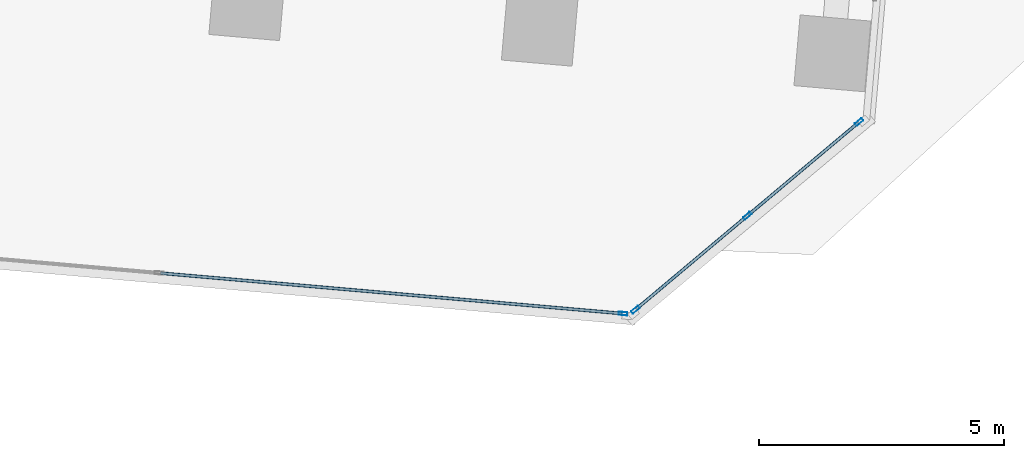
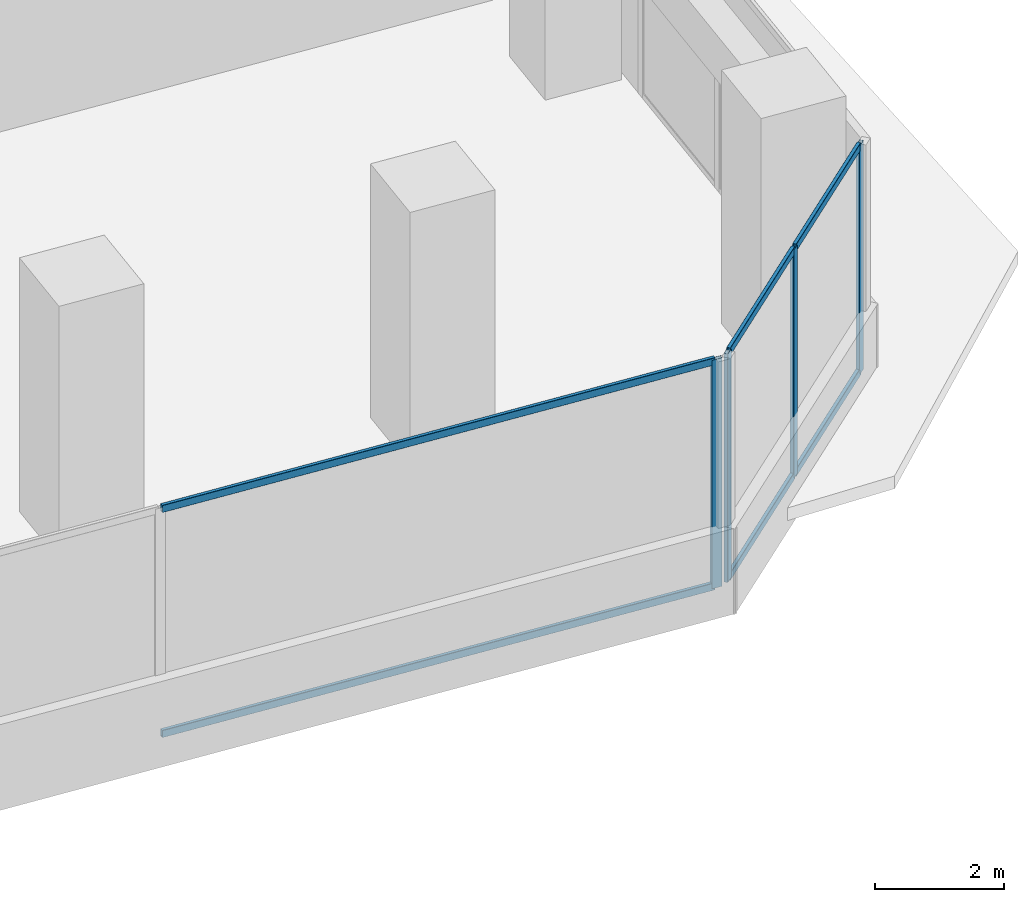
# One storey, part 9 of 24: 10 members, 2 elements without a shape of their own.
"""IFC4 building model written with IfcOpenShell, lengths in metres."""

from ifc_helpers import new_model, si_unit, direction, frame, origin, origin_2d, place, context, subcontext, project, spatial, hollow_rectangle, extrude, source, transform, mapped, material, material_profile, profile_set, type_object, element, aggregate, save


model = new_model("IFC4")

# Units and contexts
model_context = context("Model", 3, precision=1e-05, world=origin(), true_north=direction((0.0, 1.0)))
body_context = subcontext(model_context, "Body", "Model", "MODEL_VIEW")
ifc_project = project(units=[si_unit("LENGTHUNIT", "METRE"), si_unit("AREAUNIT", "SQUARE_METRE"), si_unit("VOLUMEUNIT", "CUBIC_METRE"), si_unit("PLANEANGLEUNIT", "RADIAN"), si_unit("MASSUNIT", "GRAM", prefix="KILO")], contexts=[model_context])

# Site, building, storey
site_placement = place(None, origin())
site = spatial("IfcSite", under=ifc_project, at=site_placement, CompositionType="ELEMENT")
building_placement = place(site_placement, origin())
building = spatial("IfcBuilding", under=site, at=building_placement, Name="Torre Montelarca", CompositionType="ELEMENT")
storey_placement = place(building_placement, frame((0.0, 0.0, 47.199951171875)))
storey = spatial("IfcBuildingStorey", under=building, at=storey_placement, Name="L10", CompositionType="ELEMENT", Elevation=47.199951171875)

# Curtain wall, member
ifc_material_1 = material(Name="Insulated low-E laminated glass", Category="glass")
curtain_wall_type = type_object("IfcCurtainWallType", Name="CW-SYS-Z1", PredefinedType="USERDEFINED", material=ifc_material_1)
curtain_wall_1_placement = place(storey_placement, origin())
curtain_wall_1 = element("IfcCurtainWall", 1, at=curtain_wall_1_placement, inside=storey, type_object=curtain_wall_type, Name="L10 Curtain Wall Run CW-T3-L10-E04-B1", ObjectType="UNITISED GLAZING", PredefinedType="USERDEFINED")
ifc_material_2 = material(Name="Anodised aluminium AA 6063-T6", Category="aluminium")
ifc_material_profile_1 = material_profile(ifc_material_2, hollow_rectangle(XDim=0.06494140625, YDim=0.179931640625, WallThickness=0.00390625, InnerFilletRadius=0.00390625, OuterFilletRadius=0.008056640625, at=origin_2d()), Name="ALU65X180X4", Category="aluminium")
ifc_profile_set_1 = profile_set([ifc_material_profile_1], Name="Anodised aluminium AA 6063-T6")
member_type_1 = type_object("IfcMemberType", Name="CWM-ALU180", PredefinedType="MULLION", material=ifc_profile_set_1)
shared_shape_1 = source(origin(), body_context, "Body", "SweptSolid", [
    extrude(hollow_rectangle(XDim=0.06494140625, YDim=0.179931640625, WallThickness=0.00390625, InnerFilletRadius=0.00390625, OuterFilletRadius=0.008056640625, at=origin_2d()), origin(), (0.0, 0.0, 1.0), 4.320068359375),
])
member_1_placement = place(storey_placement, frame((54.878173828125, 15.357421875, 0.0), z_axis=(0.0, 0.0, 1.0), x_axis=(0.087161882244, 0.996194160936, 0.0)))
member_1 = element("IfcMember", 2, at=member_1_placement, type_object=member_type_1, Name="CW mullion 3", PredefinedType="MULLION", context=body_context, shape_type="MappedRepresentation", body=[
    mapped(shared_shape_1, transform((0.0, 0.0, 0.0), scale=1.0)),
])

# Curtain wall, members
curtain_wall_2_placement = place(storey_placement, origin())
curtain_wall_2 = element("IfcCurtainWall", 3, at=curtain_wall_2_placement, inside=storey, type_object=curtain_wall_type, Name="L10 Curtain Wall Run CW-T3-L10-E05-B1", ObjectType="UNITISED GLAZING", PredefinedType="USERDEFINED")
member_2_placement = place(storey_placement, frame((55.1328125, 15.43798828125, 0.0), z_axis=(0.0, 0.0, 1.0), x_axis=(-0.642789614074, 0.766042761233, 0.0)))
member_2 = element("IfcMember", 4, at=member_2_placement, type_object=member_type_1, Name="CW mullion 1", PredefinedType="MULLION", context=body_context, shape_type="MappedRepresentation", body=[
    mapped(shared_shape_1, transform((0.0, 0.0, 0.0), scale=1.0)),
])
member_3_placement = place(storey_placement, frame((57.41845703125, 17.355712890625, 0.0), z_axis=(0.0, 0.0, 1.0), x_axis=(-0.642789614074, 0.766042761233, 0.0)))
member_3 = element("IfcMember", 5, at=member_3_placement, type_object=member_type_1, Name="CW mullion 2", PredefinedType="MULLION", context=body_context, shape_type="MappedRepresentation", body=[
    mapped(shared_shape_1, transform((0.0, 0.0, 0.0), scale=1.0)),
])
member_4_placement = place(storey_placement, frame((59.7041015625, 19.273681640625, 0.0), z_axis=(0.0, 0.0, 1.0), x_axis=(-0.642789614074, 0.766042761233, 0.0)))
member_4 = element("IfcMember", 6, at=member_4_placement, type_object=member_type_1, Name="CW mullion 3", PredefinedType="MULLION", context=body_context, shape_type="MappedRepresentation", body=[
    mapped(shared_shape_1, transform((0.0, 0.0, 0.0), scale=1.0)),
])
ifc_material_profile_2 = material_profile(ifc_material_2, hollow_rectangle(XDim=0.06494140625, YDim=0.139892578125, WallThickness=0.00390625, InnerFilletRadius=0.00390625, OuterFilletRadius=0.008056640625, at=origin_2d()), Name="ALU65X140X4", Category="aluminium")
ifc_profile_set_2 = profile_set([ifc_material_profile_2], Name="Anodised aluminium AA 6063-T6")
member_type_2 = type_object("IfcMemberType", Name="CWT-ALU140", PredefinedType="USERDEFINED", material=ifc_profile_set_2)
shared_shape_2 = source(origin(), body_context, "Body", "SweptSolid", [
    extrude(hollow_rectangle(XDim=0.06494140625, YDim=0.139892578125, WallThickness=0.00390625, InnerFilletRadius=0.00390625, OuterFilletRadius=0.008056640625, at=origin_2d()), origin(), (0.0, 0.0, 1.0), 2.918701171875),
])
member_5_placement = place(storey_placement, frame((55.15771484375, 15.458740234375, 0.032470703125), z_axis=(0.766022795599, 0.642813407314, 0.0), x_axis=(-0.642813407314, 0.766022795599, 0.0)))
member_5 = element("IfcMember", 7, at=member_5_placement, type_object=member_type_2, Name="CW transom 1.1", ObjectType="TRANSOM", PredefinedType="USERDEFINED", context=body_context, shape_type="MappedRepresentation", body=[
    mapped(shared_shape_2, transform((0.0, 0.0, 0.0), scale=1.0)),
])
member_6_placement = place(storey_placement, frame((55.15771484375, 15.458740234375, 4.28759765625), z_axis=(0.766022795599, 0.642813407314, 0.0), x_axis=(-0.642813407314, 0.766022795599, 0.0)))
member_6 = element("IfcMember", 8, at=member_6_placement, type_object=member_type_2, Name="CW transom 1.2", ObjectType="TRANSOM", PredefinedType="USERDEFINED", context=body_context, shape_type="MappedRepresentation", body=[
    mapped(shared_shape_2, transform((0.0, 0.0, 0.0), scale=1.0)),
])
member_7_placement = place(storey_placement, frame((57.443359375, 17.376708984375, 0.032470703125), z_axis=(0.766063983954, 0.642764321107, 0.0), x_axis=(-0.642764321107, 0.766063983954, 0.0)))
member_7 = element("IfcMember", 9, at=member_7_placement, type_object=member_type_2, Name="CW transom 2.1", ObjectType="TRANSOM", PredefinedType="USERDEFINED", context=body_context, shape_type="MappedRepresentation", body=[
    mapped(shared_shape_2, transform((0.0, 0.0, 0.0), scale=1.0)),
])
member_8_placement = place(storey_placement, frame((57.443359375, 17.376708984375, 4.28759765625), z_axis=(0.766063983954, 0.642764321107, 0.0), x_axis=(-0.642764321107, 0.766063983954, 0.0)))
member_8 = element("IfcMember", 10, at=member_8_placement, type_object=member_type_2, Name="CW transom 2.2", ObjectType="TRANSOM", PredefinedType="USERDEFINED", context=body_context, shape_type="MappedRepresentation", body=[
    mapped(shared_shape_2, transform((0.0, 0.0, 0.0), scale=1.0)),
])
aggregate(curtain_wall_2, [member_2, member_3, member_4, member_5, member_6, member_7, member_8])

# Member
shared_shape_3 = source(origin(), body_context, "Body", "SweptSolid", [
    extrude(hollow_rectangle(XDim=0.06494140625, YDim=0.139892578125, WallThickness=0.00390625, InnerFilletRadius=0.00390625, OuterFilletRadius=0.008056640625, at=origin_2d()), origin(), (0.0, 0.0, 1.0), 9.448486328125),
])
member_9_placement = place(storey_placement, frame((45.43310546875, 16.183837890625, 0.032470703125), z_axis=(0.996194783193, -0.087154770029, 0.0), x_axis=(0.087154770029, 0.996194783193, 0.0)))
member_9 = element("IfcMember", 11, at=member_9_placement, type_object=member_type_2, Name="CW transom 2.1", ObjectType="TRANSOM", PredefinedType="USERDEFINED", context=body_context, shape_type="MappedRepresentation", body=[
    mapped(shared_shape_3, transform((0.0, 0.0, 0.0), scale=1.0)),
])

member_10_placement = place(storey_placement, frame((45.43310546875, 16.183837890625, 4.28759765625), z_axis=(0.996194783193, -0.087154770029, 0.0), x_axis=(0.087154770029, 0.996194783193, 0.0)))
member_10 = element("IfcMember", 12, at=member_10_placement, type_object=member_type_2, Name="CW transom 2.2", ObjectType="TRANSOM", PredefinedType="USERDEFINED", context=body_context, shape_type="MappedRepresentation", body=[
    mapped(shared_shape_3, transform((0.0, 0.0, 0.0), scale=1.0)),
])

aggregate(curtain_wall_1, [member_1, member_9, member_10])

save(model, "model.ifc")
